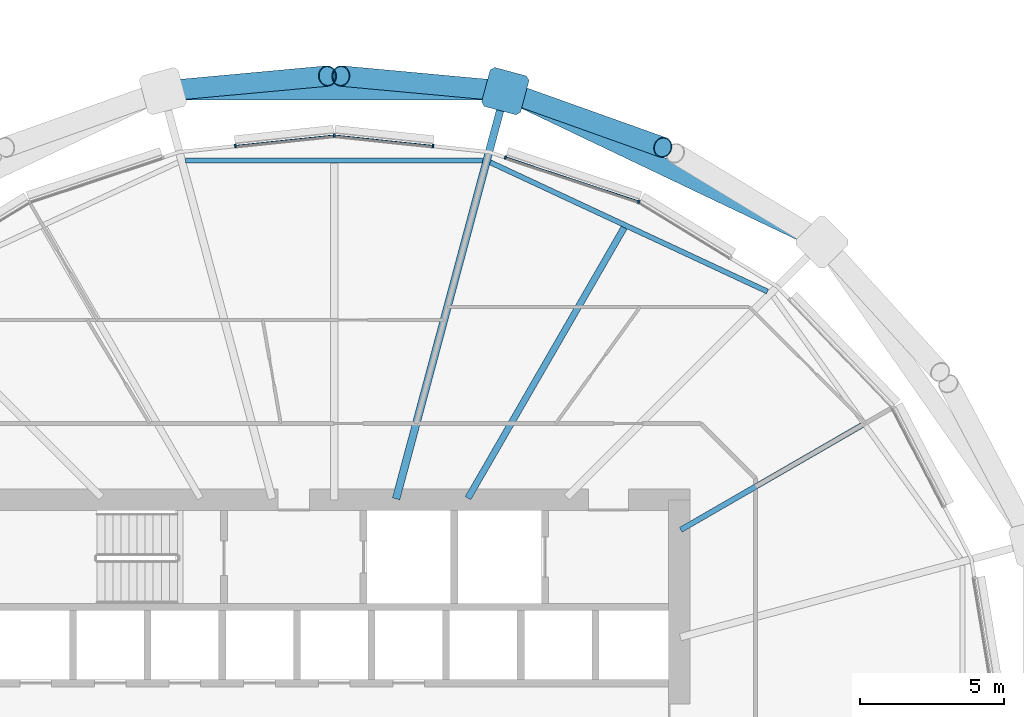
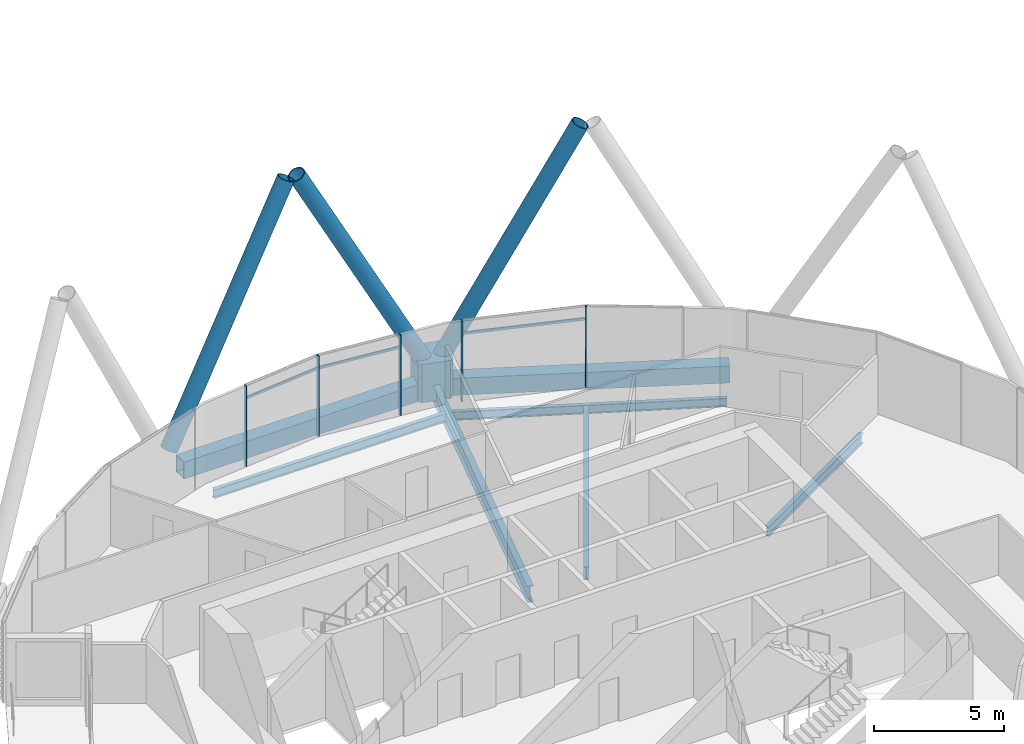
# One storey, part 13 of 39: 12 members, 7 beams, 1 element without a shape of its own.
"""IFC4 building model written with IfcOpenShell, lengths in metres."""

from ifc_helpers import new_model, si_unit, direction, frame, origin, origin_2d, place, context, subcontext, project, spatial, polyline, rectangle, hollow_rectangle, hollow_circle, i_section, outline, extrude, material, material_profile, profile_set, type_object, element, aggregate, save


model = new_model("IFC4")

# Units and contexts
model_context = context("Model", 3, precision=1e-05, world=origin(), true_north=direction((0.0, 1.0)))
body_context = subcontext(model_context, "Body", "Model", "MODEL_VIEW")
ifc_project = project(units=[si_unit("LENGTHUNIT", "METRE"), si_unit("AREAUNIT", "SQUARE_METRE"), si_unit("VOLUMEUNIT", "CUBIC_METRE"), si_unit("PLANEANGLEUNIT", "RADIAN"), si_unit("MASSUNIT", "GRAM", prefix="KILO")], contexts=[model_context])

# Site, building, storey
site_placement = place(None, origin())
site = spatial("IfcSite", under=ifc_project, at=site_placement, CompositionType="ELEMENT")
building_placement = place(site_placement, origin())
building = spatial("IfcBuilding", under=site, at=building_placement, Name="Rimbun Link Towers", CompositionType="ELEMENT")
storey_placement = place(building_placement, frame((0.0, 0.0, 115.800048828125)))
storey = spatial("IfcBuildingStorey", under=building, at=storey_placement, Name="L28", CompositionType="ELEMENT", Elevation=115.800048828125)

# Curtain wall, members
ifc_material_1 = material(Name="Aluminium 6063-T6 and low-iron glass", Category="aluminium")
curtain_wall_type = type_object("IfcCurtainWallType", Name="CW1-Z2 unitised vision wall (zone 2)", PredefinedType="NOTDEFINED", material=ifc_material_1)
curtain_wall_placement = place(storey_placement, origin())
curtain_wall = element("IfcCurtainWall", 1, at=curtain_wall_placement, inside=storey, type_object=curtain_wall_type, Name="CW1 L28 T1", PredefinedType="NOTDEFINED")
ifc_material_2 = material(Name="Aluminium 6063-T6", Category="aluminium")
ifc_material_profile_1 = material_profile(ifc_material_2, rectangle(XDim=0.1201171875, YDim=0.06005859375, at=origin_2d()), Name="MULLION 60X120")
ifc_profile_set_1 = profile_set([ifc_material_profile_1], Name="Aluminium 6063-T6")
member_type_1 = type_object("IfcMemberType", Name="CW1 mullion 60X120", PredefinedType="MULLION", material=ifc_profile_set_1)
member_1_placement = place(storey_placement, frame((-21.15380859375, 18.364013671875, 0.0), z_axis=(0.0, 0.0, 1.0), x_axis=(0.421704717158, 0.9067332196, 0.0)))
member_1 = element("IfcMember", 2, at=member_1_placement, type_object=member_type_1, Name="CW1 mullion", PredefinedType="MULLION", context=body_context, shape_type="SweptSolid", body=[
    extrude(rectangle(XDim=0.1201171875, YDim=0.06005859375, at=origin_2d()), origin(), (0.0, 0.0, 1.0), 3.800048828125),
])
member_2_placement = place(storey_placement, frame((-25.793701171875, 19.90185546875, 0.0), z_axis=(0.0, 0.0, 1.0), x_axis=(0.314563424855, 0.949236457235, 0.0)))
member_2 = element("IfcMember", 3, at=member_2_placement, type_object=member_type_1, Name="CW1 mullion", PredefinedType="MULLION", context=body_context, shape_type="SweptSolid", body=[
    extrude(rectangle(XDim=0.1201171875, YDim=0.06005859375, at=origin_2d()), origin(), (0.0, 0.0, 1.0), 3.800048828125),
])
member_3_placement = place(storey_placement, frame((-31.75, 20.6591796875, 0.0), z_axis=(0.0, 0.0, 1.0), x_axis=(0.0, 1.0, 0.0)))
member_3 = element("IfcMember", 4, at=member_3_placement, type_object=member_type_1, Name="CW1 mullion", PredefinedType="MULLION", context=body_context, shape_type="SweptSolid", body=[
    extrude(rectangle(XDim=0.1201171875, YDim=0.06005859375, at=origin_2d()), origin(), (0.0, 0.0, 1.0), 3.800048828125),
])
member_4_placement = place(storey_placement, frame((-28.31494140625, 20.297607421875, 0.0), z_axis=(0.0, 0.0, 1.0), x_axis=(0.104748434017, 0.994498750915, 0.0)))
member_4 = element("IfcMember", 5, at=member_4_placement, type_object=member_type_1, Name="CW1 mullion", PredefinedType="MULLION", context=body_context, shape_type="SweptSolid", body=[
    extrude(rectangle(XDim=0.1201171875, YDim=0.06005859375, at=origin_2d()), origin(), (0.0, 0.0, 1.0), 3.800048828125),
])
member_5_placement = place(storey_placement, frame((-35.18505859375, 20.297607421875, 0.0), z_axis=(0.0, 0.0, 1.0), x_axis=(-0.104748434017, 0.994498750915, 0.0)))
member_5 = element("IfcMember", 6, at=member_5_placement, type_object=member_type_1, Name="CW1 mullion", PredefinedType="MULLION", context=body_context, shape_type="SweptSolid", body=[
    extrude(rectangle(XDim=0.1201171875, YDim=0.06005859375, at=origin_2d()), origin(), (0.0, 0.0, 1.0), 3.800048828125),
])
ifc_material_3 = material(Name="Aluminium 6063-T6", Category="aluminium")
ifc_material_profile_2 = material_profile(ifc_material_3, rectangle(XDim=0.06005859375, YDim=0.1201171875, at=origin_2d()), Name="TRANSOM 60X120")
ifc_profile_set_2 = profile_set([ifc_material_profile_2], Name="Aluminium 6063-T6")
member_type_2 = type_object("IfcMemberType", Name="CW1 transom 60X120", PredefinedType="USERDEFINED", material=ifc_profile_set_2)
member_6_placement = place(storey_placement, frame((-25.765625, 19.890625, 3.199951171875), z_axis=(0.94923382133, -0.314571378933, 0.0), x_axis=(0.314571378933, 0.94923382133, 0.0)))
member_6 = element("IfcMember", 7, at=member_6_placement, type_object=member_type_2, Name="CW1 transom", ObjectType="TRANSOM", PredefinedType="USERDEFINED", context=body_context, shape_type="SweptSolid", body=[
    extrude(rectangle(XDim=0.06005859375, YDim=0.1201171875, at=origin_2d()), origin(), (0.0, 0.0, 1.0), 4.8212890625),
])
member_7_placement = place(storey_placement, frame((-31.714111328125, 20.653564453125, 3.199951171875), z_axis=(0.994502688422, -0.104711043933, 0.0), x_axis=(0.104711043933, 0.994502688422, 0.0)))
member_7 = element("IfcMember", 8, at=member_7_placement, type_object=member_type_2, Name="CW1 transom", ObjectType="TRANSOM", PredefinedType="USERDEFINED", context=body_context, shape_type="SweptSolid", body=[
    extrude(rectangle(XDim=0.06005859375, YDim=0.1201171875, at=origin_2d()), origin(), (0.0, 0.0, 1.0), 3.3876953125),
])
member_8_placement = place(storey_placement, frame((-35.155029296875, 20.298828125, 3.199951171875), z_axis=(0.994502688422, 0.104711043933, 0.0), x_axis=(-0.104711043933, 0.994502688422, 0.0)))
member_8 = element("IfcMember", 9, at=member_8_placement, type_object=member_type_2, Name="CW1 transom", ObjectType="TRANSOM", PredefinedType="USERDEFINED", context=body_context, shape_type="SweptSolid", body=[
    extrude(rectangle(XDim=0.06005859375, YDim=0.1201171875, at=origin_2d()), origin(), (0.0, 0.0, 1.0), 3.3876953125),
])
aggregate(curtain_wall, [member_1, member_2, member_3, member_4, member_5, member_6, member_7, member_8])

# Members
ifc_material_4 = material(Name="Steel S460NH", Category="steel")
ifc_material_profile_3 = material_profile(ifc_material_4, hollow_circle(Radius=0.355712890625, WallThickness=0.031982421875, at=origin_2d()), Name="Diagrid diagonal CHS 711x32")
ifc_profile_set_3 = profile_set([ifc_material_profile_3], Name="Steel S460NH")
member_type_3 = type_object("IfcMemberType", Name="Diagrid diagonal CHS 711x32", PredefinedType="BRACE", material=ifc_profile_set_3)
member_9_placement = place(storey_placement, frame((-25.578857421875, 22.128173828125, 0.441650390625), z_axis=(0.441450523195, -0.157512959012, 0.883352196643), x_axis=(0.336056450745, 0.941841845488, 0.0)))
element("IfcMember", 10, at=member_9_placement, inside=storey, type_object=member_type_3, Name="Diagrid diagonal T1 L28-L31 05a", PredefinedType="BRACE", context=body_context, shape_type="SweptSolid", body=[
    extrude(hollow_circle(Radius=0.355712890625, WallThickness=0.031982421875, at=origin_2d()), origin(), (0.0, 0.0, 1.0), 11.9052734375),
])
for number, where, z_axis, x_axis, name in (
    (11, (-26.03076171875, 22.228271484375, 0.44287109375), (-0.462305188587, 0.042551244948, 0.885699330562), (-0.091654050065, -0.995790909331, 0.0), "Diagrid diagonal T1 L28-L31 05b"),
    (12, (-37.46923828125, 22.228271484375, 0.44287109375), (0.462305188587, 0.042551244948, 0.885699330562), (-0.091654050065, 0.995790909331, 0.0), "Diagrid diagonal T1 L28-L31 07a"),
):
    element("IfcMember", number, at=place(storey_placement, frame(where, z_axis=z_axis, x_axis=x_axis)), inside=storey, type_object=member_type_3, Name=name, PredefinedType="BRACE", context=body_context, shape_type="SweptSolid", body=[
        extrude(hollow_circle(Radius=0.355712890625, WallThickness=0.031982421875, at=origin_2d()), origin(), (0.0, 0.0, 1.0), 11.87109375),
    ])
ifc_material_5 = material(Name="Cast steel G20Mn5+QT, Rp0.2 300 MPa", Category="steel")
ifc_material_profile_4 = material_profile(ifc_material_5, outline(polyline([(0.699951171875, -0.570068359375), (0.699951171875, 0.570068359375), (0.570068359375, 0.699951171875), (-0.570068359375, 0.699951171875), (-0.699951171875, 0.570068359375), (-0.699951171875, -0.570068359375), (-0.570068359375, -0.699951171875), (0.570068359375, -0.699951171875), (0.699951171875, -0.570068359375)])), Name="NODE 1400x1400")
ifc_profile_set_4 = profile_set([ifc_material_profile_4], Name="Cast steel G20Mn5+QT, Rp0.2 300 MPa")
member_type_4 = type_object("IfcMemberType", Name="Diagrid node cast 1400", PredefinedType="USERDEFINED", material=ifc_profile_set_4)
member_10_placement = place(storey_placement, frame((-25.799560546875, 22.20703125, -0.900146484375), z_axis=(0.0, 0.0, 1.0), x_axis=(0.258819045103, 0.965925826289, 0.0)))
element("IfcMember", 13, at=member_10_placement, inside=storey, type_object=member_type_4, Name="Diagrid node L28 05", ObjectType="Diagrid node", PredefinedType="USERDEFINED", context=body_context, shape_type="SweptSolid", body=[
    extrude(outline(polyline([(0.699951171875, -0.570068359375), (0.699951171875, 0.570068359375), (0.570068359375, 0.699951171875), (-0.570068359375, 0.699951171875), (-0.699951171875, 0.570068359375), (-0.699951171875, -0.570068359375), (-0.570068359375, -0.699951171875), (0.570068359375, -0.699951171875), (0.699951171875, -0.570068359375)])), origin(), (0.0, 0.0, 1.0), 1.800048828125),
])

# Beams
ifc_material_6 = material(Name="Steel S355J2", Category="steel")
ifc_material_profile_5 = material_profile(ifc_material_6, hollow_rectangle(XDim=0.60009765625, YDim=0.800048828125, WallThickness=0.0400390625, at=origin_2d()), Name="Exoskeleton ring girder BOX 600x800x40")
ifc_profile_set_5 = profile_set([ifc_material_profile_5], Name="Steel S355J2")
beam_type_1 = type_object("IfcBeamType", Name="Exoskeleton ring girder BOX 600x800x40", PredefinedType="BEAM", material=ifc_profile_set_5)
beam_1_placement = place(storey_placement, frame((-15.42529296875, 17.258056640625, -0.56005859375), z_axis=(-0.902565145256, 0.430553316755, 0.0), x_axis=(-0.430553316755, -0.902565145256, 0.0)))
element("IfcBeam", 14, at=beam_1_placement, inside=storey, type_object=beam_type_1, Name="Exoskeleton ring girder L28 01", PredefinedType="BEAM", context=body_context, shape_type="SweptSolid", body=[
    extrude(hollow_rectangle(XDim=0.60009765625, YDim=0.800048828125, WallThickness=0.0400390625, at=origin_2d()), origin(), (0.0, 0.0, 1.0), 10.794189453125),
])
beam_2_placement = place(storey_placement, frame((-26.49951171875, 22.20703125, -0.56005859375), z_axis=(-1.0, 0.0, 0.0), x_axis=(0.0, -1.0, 0.0)))
element("IfcBeam", 15, at=beam_2_placement, inside=storey, type_object=beam_type_1, Name="Exoskeleton ring girder L28 02", PredefinedType="BEAM", context=body_context, shape_type="SweptSolid", body=[
    extrude(hollow_rectangle(XDim=0.60009765625, YDim=0.800048828125, WallThickness=0.0400390625, at=origin_2d()), origin(), (0.0, 0.0, 1.0), 10.5009765625),
])
ifc_material_7 = material(Name="Steel S355J2", Category="steel")
ifc_material_profile_6 = material_profile(ifc_material_7, i_section(OverallWidth=0.177978515625, OverallDepth=0.406494140625, WebThickness=0.0078125, FlangeThickness=0.0126953125, at=origin_2d()), Name="UB 406x178x60")
ifc_profile_set_6 = profile_set([ifc_material_profile_6], Name="Steel S355J2")
beam_type_2 = type_object("IfcBeamType", Name="UB 406x178x60", PredefinedType="BEAM", material=ifc_profile_set_6)
beam_3_placement = place(storey_placement, frame((-16.689453125, 15.2412109375, -0.36328125), z_axis=(-0.906386059243, 0.422450365853, 0.0), x_axis=(-0.422450365853, -0.906386059243, 0.0)))
element("IfcBeam", 16, at=beam_3_placement, inside=storey, type_object=beam_type_2, Name="Edge beam T1 L28 03-05", PredefinedType="BEAM", context=body_context, shape_type="SweptSolid", body=[
    extrude(i_section(OverallWidth=0.177978515625, OverallDepth=0.406494140625, WebThickness=0.0078125, FlangeThickness=0.0126953125, at=origin_2d()), origin(), (0.0, 0.0, 1.0), 10.629638671875),
])
beam_4_placement = place(storey_placement, frame((-26.58642578125, 19.789306640625, -0.36328125), z_axis=(-1.0, 0.0, 0.0), x_axis=(0.0, -1.0, 0.0)))
element("IfcBeam", 17, at=beam_4_placement, inside=storey, type_object=beam_type_2, Name="Edge beam T1 L28 05-07", PredefinedType="BEAM", context=body_context, shape_type="SweptSolid", body=[
    extrude(i_section(OverallWidth=0.177978515625, OverallDepth=0.406494140625, WebThickness=0.0078125, FlangeThickness=0.0126953125, at=origin_2d()), origin(), (0.0, 0.0, 1.0), 10.3271484375),
])
ifc_material_8 = material(Name="Steel S355J2", Category="steel")
ifc_material_profile_7 = material_profile(ifc_material_8, i_section(OverallWidth=0.18994140625, OverallDepth=0.453369140625, WebThickness=0.008544921875, FlangeThickness=0.0126953125, at=origin_2d()), Name="UB 457x191x67")
ifc_profile_set_7 = profile_set([ifc_material_profile_7], Name="Steel S355J2")
beam_type_3 = type_object("IfcBeamType", Name="UB 457x191x67", PredefinedType="BEAM", material=ifc_profile_set_7)
beam_5_placement = place(storey_placement, frame((-19.70166015625, 6.9560546875, -0.38671875), z_axis=(0.866028075408, 0.499995372584, 0.0), x_axis=(-0.499995372584, 0.866028075408, 0.0)))
element("IfcBeam", 18, at=beam_5_placement, inside=storey, type_object=beam_type_3, Name="Radial beam T1 L28 02", PredefinedType="BEAM", context=body_context, shape_type="SweptSolid", body=[
    extrude(i_section(OverallWidth=0.18994140625, OverallDepth=0.453369140625, WebThickness=0.008544921875, FlangeThickness=0.0126953125, at=origin_2d()), origin(), (0.0, 0.0, 1.0), 7.27880859375),
])
ifc_material_9 = material(Name="Steel S355J2", Category="steel")
ifc_material_profile_8 = material_profile(ifc_material_9, i_section(OverallWidth=0.2275390625, OverallDepth=0.6025390625, WebThickness=0.010498046875, FlangeThickness=0.014892578125, at=origin_2d()), Name="UB 610x229x101")
ifc_profile_set_8 = profile_set([ifc_material_profile_8], Name="Steel S355J2")
beam_type_4 = type_object("IfcBeamType", Name="UB 610x229x101", PredefinedType="BEAM", material=ifc_profile_set_8)
beam_6_placement = place(storey_placement, frame((-27.097900390625, 8.057861328125, -0.46142578125), z_axis=(0.49999814997, 0.866026471897, 0.0), x_axis=(-0.866026471897, 0.49999814997, 0.0)))
element("IfcBeam", 19, at=beam_6_placement, inside=storey, type_object=beam_type_4, Name="Radial beam T1 L28 04", PredefinedType="BEAM", context=body_context, shape_type="SweptSolid", body=[
    extrude(i_section(OverallWidth=0.2275390625, OverallDepth=0.6025390625, WebThickness=0.010498046875, FlangeThickness=0.014892578125, at=origin_2d()), origin(), (0.0, 0.0, 1.0), 10.859375),
])
ifc_material_10 = material(Name="Steel S355J2", Category="steel")
ifc_material_profile_9 = material_profile(ifc_material_10, i_section(OverallWidth=0.2666015625, OverallDepth=0.76220703125, WebThickness=0.014404296875, FlangeThickness=0.021484375, at=origin_2d()), Name="UB 762x267x173")
ifc_profile_set_9 = profile_set([ifc_material_profile_9], Name="Steel S355J2")
beam_type_5 = type_object("IfcBeamType", Name="UB 762x267x173", PredefinedType="BEAM", material=ifc_profile_set_9)
beam_7_placement = place(storey_placement, frame((-29.5966796875, 8.035400390625, -0.541259765625), z_axis=(0.258808705497, 0.965928596719, 0.0), x_axis=(-0.965928596719, 0.258808705497, 0.0)))
element("IfcBeam", 20, at=beam_7_placement, inside=storey, type_object=beam_type_5, Name="Radial beam T1 L28 05", PredefinedType="BEAM", context=body_context, shape_type="SweptSolid", body=[
    extrude(i_section(OverallWidth=0.2666015625, OverallDepth=0.76220703125, WebThickness=0.014404296875, FlangeThickness=0.021484375, at=origin_2d()), origin(), (0.0, 0.0, 1.0), 14.171630859375),
])

save(model, "model.ifc")
